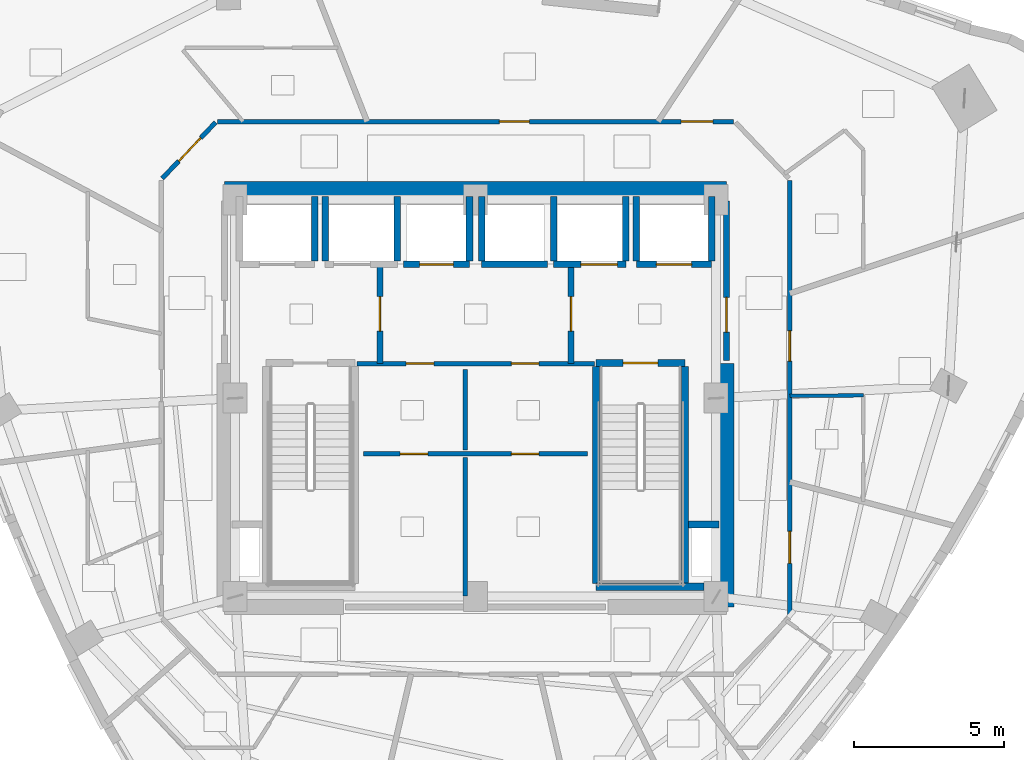
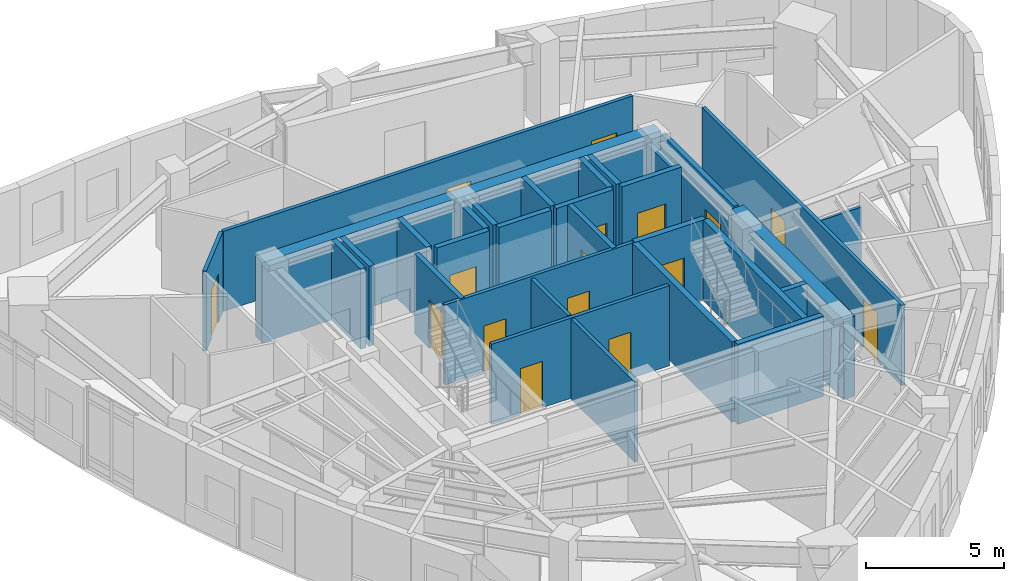
# One storey, part 11 of 16: 31 walls, 16 doors, 16 openings.
"""IFC4 building model written with IfcOpenShell, lengths in metres."""

from ifc_helpers import new_model, si_unit, direction, frame, frame_2d, origin, place, context, subcontext, project, spatial, rectangle, extrude, material, layer, layer_set, type_object, element, fill, save


model = new_model("IFC4")

# Units and contexts
model_context = context("Model", 3, precision=1e-05, world=origin(), true_north=direction((0.0, 1.0)))
body_context = subcontext(model_context, "Body", "Model", "MODEL_VIEW")
ifc_project = project(units=[si_unit("LENGTHUNIT", "METRE"), si_unit("AREAUNIT", "SQUARE_METRE"), si_unit("VOLUMEUNIT", "CUBIC_METRE"), si_unit("PLANEANGLEUNIT", "RADIAN"), si_unit("MASSUNIT", "GRAM", prefix="KILO")], contexts=[model_context])

# Site, building, storey
site_placement = place(None, origin())
site = spatial("IfcSite", under=ifc_project, at=site_placement, CompositionType="ELEMENT")
building_placement = place(site_placement, origin())
building = spatial("IfcBuilding", under=site, at=building_placement, Name="Ndelora Gate Hotel", CompositionType="ELEMENT")
storey_placement = place(building_placement, frame((0.0, 0.0, 182.75)))
storey = spatial("IfcBuildingStorey", under=building, at=storey_placement, Name="L45", CompositionType="ELEMENT", Elevation=182.75)

# Walls
ifc_material_1 = material(Name="Concrete C50/60", Category="concrete")
ifc_layer_1 = layer(ifc_material_1, 0.5)
ifc_layer_set_1 = layer_set([ifc_layer_1], Name="Concrete C50/60")
wall_type_1 = type_object("IfcWallType", Name="WL-CORE-500", PredefinedType="SHEAR", material=ifc_layer_set_1)
wall_1_placement = place(storey_placement, frame((-8.35009765625, 6.949951171875, 0.0), z_axis=(0.0, 0.0, 1.0), x_axis=(1.0, 0.0, 0.0)))
element("IfcWall", 1, at=wall_1_placement, inside=storey, type_object=wall_type_1, Name="L45 Core Shear Wall N", PredefinedType="SHEAR", context=body_context, shape_type="SweptSolid", body=[
    extrude(rectangle(XDim=16.7001953125, YDim=0.5, at=frame_2d((8.35009765625, 0.0))), origin(), (0.0, 0.0, 1.0), 3.550048828125),
])
wall_2_placement = place(storey_placement, frame((8.35009765625, -6.949951171875, 0.0), z_axis=(0.0, 0.0, 1.0), x_axis=(0.0, 1.0, 0.0)))
element("IfcWall", 2, at=wall_2_placement, inside=storey, type_object=wall_type_1, Name="L45 Core Shear Wall E", PredefinedType="SHEAR", context=body_context, shape_type="SweptSolid", body=[
    extrude(rectangle(XDim=8.099853515625, YDim=0.5, at=frame_2d((4.0498046875, 0.0))), origin(), (0.0, 0.0, 1.0), 3.550048828125),
])

# Wall, opening, door
ifc_material_2 = material(Name="Concrete C40/50", Category="concrete")
ifc_layer_2 = layer(ifc_material_2, 0.199951171875)
ifc_layer_set_2 = layer_set([ifc_layer_2], Name="Concrete C40/50")
wall_type_2 = type_object("IfcWallType", Name="WL-FIRE-200", PredefinedType="PARTITIONING", material=ifc_layer_set_2)
wall_3_placement = place(storey_placement, frame((-3.179931640625, 1.14990234375, 0.0), z_axis=(0.0, 0.0, 1.0), x_axis=(0.0, 1.0, 0.0)))
wall_3 = element("IfcWall", 3, at=wall_3_placement, inside=storey, type_object=wall_type_2, Name="L45 Interior Wall IW-2", PredefinedType="PARTITIONING", context=body_context, shape_type="SweptSolid", body=[
    extrude(rectangle(XDim=3.300048828125, YDim=0.199951171875, at=frame_2d((1.64990234375, 0.0))), origin(), (0.0, 0.0, 1.0), 3.550048828125),
])
opening_1_placement = place(wall_3_placement, frame((1.080078125, 0.0, 0.0)))
opening_1 = element("IfcOpeningElement", 4, at=opening_1_placement, cuts=wall_3, Name="Opening FD1", PredefinedType="OPENING", context=body_context, shape_type="SweptSolid", body=[
    extrude(rectangle(XDim=1.14990234375, YDim=2.14990234375, at=frame_2d((0.574951171875, 1.074951171875))), frame((0.0, 0.10986328125, 0.0), z_axis=(0.0, -1.0, 0.0), x_axis=(1.0, 0.0, 0.0)), (0.0, 0.0, 1.0), 0.219970703125),
])
ifc_material_3 = material(Name="Fire-Rated Timber-Veneer Steel Core", Category="steel")
door_type_1 = type_object("IfcDoorType", Name="DR-FD60", OperationType="SINGLE_SWING_LEFT", PredefinedType="DOOR", material=ifc_material_3)
door_1_placement = place(opening_1_placement, origin())
door_1 = element("IfcDoor", 5, at=door_1_placement, inside=storey, type_object=door_type_1, Name="L45 Firefighting Lobby West Door", OperationType="SINGLE_SWING_RIGHT", OverallHeight=2.14990234375, OverallWidth=1.14990234375, PredefinedType="DOOR", context=body_context, shape_type="SweptSolid", body=[
    extrude(rectangle(XDim=1.14990234375, YDim=2.14990234375, at=frame_2d((0.574951171875, 1.074951171875))), frame((0.0, 0.02490234375, 0.0), z_axis=(0.0, -1.0, 0.0), x_axis=(1.0, 0.0, 0.0)), (0.0, 0.0, 1.0), 0.050048828125),
])
fill(opening_1, door_1)

wall_4_placement = place(storey_placement, frame((3.179931640625, 1.14990234375, 0.0), z_axis=(0.0, 0.0, 1.0), x_axis=(0.0, 1.0, 0.0)))
wall_4 = element("IfcWall", 6, at=wall_4_placement, inside=storey, type_object=wall_type_2, Name="L45 Interior Wall IW-2", PredefinedType="PARTITIONING", context=body_context, shape_type="SweptSolid", body=[
    extrude(rectangle(XDim=3.300048828125, YDim=0.199951171875, at=frame_2d((1.64990234375, 0.0))), origin(), (0.0, 0.0, 1.0), 3.550048828125),
])
opening_2_placement = place(wall_4_placement, frame((1.080078125, 0.0, 0.0)))
opening_2 = element("IfcOpeningElement", 7, at=opening_2_placement, cuts=wall_4, Name="Opening FD1", PredefinedType="OPENING", context=body_context, shape_type="SweptSolid", body=[
    extrude(rectangle(XDim=1.14990234375, YDim=2.14990234375, at=frame_2d((0.574951171875, 1.074951171875))), frame((0.0, 0.10986328125, 0.0), z_axis=(0.0, -1.0, 0.0), x_axis=(1.0, 0.0, 0.0)), (0.0, 0.0, 1.0), 0.219970703125),
])
door_2_placement = place(opening_2_placement, origin())
door_2 = element("IfcDoor", 8, at=door_2_placement, inside=storey, type_object=door_type_1, Name="L45 Firefighting Lobby East Door", OperationType="SINGLE_SWING_LEFT", OverallHeight=2.14990234375, OverallWidth=1.14990234375, PredefinedType="DOOR", context=body_context, shape_type="SweptSolid", body=[
    extrude(rectangle(XDim=1.14990234375, YDim=2.14990234375, at=frame_2d((0.574951171875, 1.074951171875))), frame((0.0, 0.02490234375, 0.0), z_axis=(0.0, -1.0, 0.0), x_axis=(1.0, 0.0, 0.0)), (0.0, 0.0, 1.0), 0.050048828125),
])
fill(opening_2, door_2)

wall_5_placement = place(storey_placement, frame((8.35009765625, 1.25, 0.0), z_axis=(0.0, 0.0, 1.0), x_axis=(0.0, 1.0, 0.0)))
wall_5 = element("IfcWall", 9, at=wall_5_placement, inside=storey, type_object=wall_type_2, Name="L45 Interior Wall IW-2", PredefinedType="PARTITIONING", context=body_context, shape_type="SweptSolid", body=[
    extrude(rectangle(XDim=5.300048828125, YDim=0.199951171875, at=frame_2d((2.64990234375, 0.0))), origin(), (0.0, 0.0, 1.0), 3.550048828125),
])
opening_3_placement = place(wall_5_placement, frame((0.949951171875, 0.0, 0.0)))
opening_3 = element("IfcOpeningElement", 10, at=opening_3_placement, cuts=wall_5, Name="Opening FD1", PredefinedType="OPENING", context=body_context, shape_type="SweptSolid", body=[
    extrude(rectangle(XDim=1.14990234375, YDim=2.14990234375, at=frame_2d((0.574951171875, 1.074951171875))), frame((0.0, 0.10986328125, 0.0), z_axis=(0.0, -1.0, 0.0), x_axis=(1.0, 0.0, 0.0)), (0.0, 0.0, 1.0), 0.219970703125),
])
door_3_placement = place(opening_3_placement, origin())
door_3 = element("IfcDoor", 11, at=door_3_placement, inside=storey, type_object=door_type_1, Name="L45 Firefighting Lobby East Corridor Door", OperationType="SINGLE_SWING_RIGHT", OverallHeight=2.14990234375, OverallWidth=1.14990234375, PredefinedType="DOOR", context=body_context, shape_type="SweptSolid", body=[
    extrude(rectangle(XDim=1.14990234375, YDim=2.14990234375, at=frame_2d((0.574951171875, 1.074951171875))), frame((0.0, 0.02490234375, 0.0), z_axis=(0.0, -1.0, 0.0), x_axis=(1.0, 0.0, 0.0)), (0.0, 0.0, 1.0), 0.050048828125),
])
fill(opening_3, door_3)

# Wall, openings, doors
ifc_material_4 = material(Name="Fire-Rated Gypsum Stud Partition", Category="gypsum")
ifc_layer_3 = layer(ifc_material_4, 0.14990234375)
ifc_layer_set_3 = layer_set([ifc_layer_3], Name="Fire-Rated Gypsum Stud Partition")
wall_type_3 = type_object("IfcWallType", Name="WL-PART-150", PredefinedType="PARTITIONING", material=ifc_layer_set_3)
wall_6_placement = place(storey_placement, frame((3.949951171875, 1.14990234375, 0.0), z_axis=(0.0, 0.0, 1.0), x_axis=(-1.0, 0.0, 0.0)))
wall_6 = element("IfcWall", 12, at=wall_6_placement, inside=storey, type_object=wall_type_3, Name="L45 Interior Wall IW-5", PredefinedType="PARTITIONING", context=body_context, shape_type="SweptSolid", body=[
    extrude(rectangle(XDim=7.89990234375, YDim=0.14990234375, at=frame_2d((3.949951171875, 0.0))), origin(), (0.0, 0.0, 1.0), 3.550048828125),
])
opening_4_placement = place(wall_6_placement, frame((5.340087890625, 0.0, 0.0)))
opening_4 = element("IfcOpeningElement", 13, at=opening_4_placement, cuts=wall_6, Name="Opening D04", PredefinedType="OPENING", context=body_context, shape_type="SweptSolid", body=[
    extrude(rectangle(XDim=0.919921875, YDim=2.050048828125, at=frame_2d((0.4599609375, 1.02490234375))), frame((0.0, 0.0849609375, 0.0), z_axis=(0.0, -1.0, 0.0), x_axis=(1.0, 0.0, 0.0)), (0.0, 0.0, 1.0), 0.169921875),
])
opening_5_placement = place(wall_6_placement, frame((1.840087890625, 0.0, 0.0)))
opening_5 = element("IfcOpeningElement", 14, at=opening_5_placement, cuts=wall_6, Name="Opening D04", PredefinedType="OPENING", context=body_context, shape_type="SweptSolid", body=[
    extrude(rectangle(XDim=0.919921875, YDim=2.050048828125, at=frame_2d((0.4599609375, 1.02490234375))), frame((0.0, 0.0849609375, 0.0), z_axis=(0.0, -1.0, 0.0), x_axis=(1.0, 0.0, 0.0)), (0.0, 0.0, 1.0), 0.169921875),
])
ifc_material_5 = material(Name="Painted Steel Core Service Door", Category="steel")
door_type_2 = type_object("IfcDoorType", Name="DR-SER-920", OperationType="SINGLE_SWING_LEFT", PredefinedType="DOOR", material=ifc_material_5)
door_4_placement = place(opening_4_placement, origin())
door_4 = element("IfcDoor", 15, at=door_4_placement, inside=storey, type_object=door_type_2, Name="L45 Core Electrical Closet Door", OperationType="SINGLE_SWING_LEFT", OverallHeight=2.050048828125, OverallWidth=0.919921875, PredefinedType="DOOR", context=body_context, shape_type="SweptSolid", body=[
    extrude(rectangle(XDim=0.919921875, YDim=2.050048828125, at=frame_2d((0.4599609375, 1.02490234375))), frame((0.0, 0.02490234375, 0.0), z_axis=(0.0, -1.0, 0.0), x_axis=(1.0, 0.0, 0.0)), (0.0, 0.0, 1.0), 0.050048828125),
])
fill(opening_4, door_4)
door_5_placement = place(opening_5_placement, origin())
door_5 = element("IfcDoor", 16, at=door_5_placement, inside=storey, type_object=door_type_2, Name="L45 Comms Patching Store Door", OperationType="SINGLE_SWING_RIGHT", OverallHeight=2.050048828125, OverallWidth=0.919921875, PredefinedType="DOOR", context=body_context, shape_type="SweptSolid", body=[
    extrude(rectangle(XDim=0.919921875, YDim=2.050048828125, at=frame_2d((0.4599609375, 1.02490234375))), frame((0.0, 0.02490234375, 0.0), z_axis=(0.0, -1.0, 0.0), x_axis=(1.0, 0.0, 0.0)), (0.0, 0.0, 1.0), 0.050048828125),
])
fill(opening_5, door_5)

wall_7_placement = place(storey_placement, frame((-3.719970703125, -1.85009765625, 0.0), z_axis=(0.0, 0.0, 1.0), x_axis=(1.0, 0.0, 0.0)))
wall_7 = element("IfcWall", 17, at=wall_7_placement, inside=storey, type_object=wall_type_3, Name="L45 Interior Wall IW-5", PredefinedType="PARTITIONING", context=body_context, shape_type="SweptSolid", body=[
    extrude(rectangle(XDim=7.43994140625, YDim=0.14990234375, at=frame_2d((3.719970703125, 0.0))), origin(), (0.0, 0.0, 1.0), 3.550048828125),
])
opening_6_placement = place(wall_7_placement, frame((1.2099609375, 0.0, 0.0)))
opening_6 = element("IfcOpeningElement", 18, at=opening_6_placement, cuts=wall_7, Name="Opening D04", PredefinedType="OPENING", context=body_context, shape_type="SweptSolid", body=[
    extrude(rectangle(XDim=0.919921875, YDim=2.050048828125, at=frame_2d((0.4599609375, 1.02490234375))), frame((0.0, 0.0849609375, 0.0), z_axis=(0.0, -1.0, 0.0), x_axis=(1.0, 0.0, 0.0)), (0.0, 0.0, 1.0), 0.169921875),
])
opening_7_placement = place(wall_7_placement, frame((4.909912109375, 0.0, 0.0)))
opening_7 = element("IfcOpeningElement", 19, at=opening_7_placement, cuts=wall_7, Name="Opening D04", PredefinedType="OPENING", context=body_context, shape_type="SweptSolid", body=[
    extrude(rectangle(XDim=0.919921875, YDim=2.050048828125, at=frame_2d((0.4599609375, 1.02490234375))), frame((0.0, 0.0849609375, 0.0), z_axis=(0.0, -1.0, 0.0), x_axis=(1.0, 0.0, 0.0)), (0.0, 0.0, 1.0), 0.169921875),
])
door_6_placement = place(opening_6_placement, origin())
door_6 = element("IfcDoor", 20, at=door_6_placement, inside=storey, type_object=door_type_2, Name="L45 Core Service Internal Door", OperationType="SINGLE_SWING_LEFT", OverallHeight=2.050048828125, OverallWidth=0.919921875, PredefinedType="DOOR", context=body_context, shape_type="SweptSolid", body=[
    extrude(rectangle(XDim=0.919921875, YDim=2.050048828125, at=frame_2d((0.4599609375, 1.02490234375))), frame((0.0, 0.02490234375, 0.0), z_axis=(0.0, -1.0, 0.0), x_axis=(1.0, 0.0, 0.0)), (0.0, 0.0, 1.0), 0.050048828125),
])
fill(opening_6, door_6)
door_7_placement = place(opening_7_placement, origin())
door_7 = element("IfcDoor", 21, at=door_7_placement, inside=storey, type_object=door_type_2, Name="L45 Core Service Internal Door", OperationType="SINGLE_SWING_LEFT", OverallHeight=2.050048828125, OverallWidth=0.919921875, PredefinedType="DOOR", context=body_context, shape_type="SweptSolid", body=[
    extrude(rectangle(XDim=0.919921875, YDim=2.050048828125, at=frame_2d((0.4599609375, 1.02490234375))), frame((0.0, 0.02490234375, 0.0), z_axis=(0.0, -1.0, 0.0), x_axis=(1.0, 0.0, 0.0)), (0.0, 0.0, 1.0), 0.050048828125),
])
fill(opening_7, door_7)

# Walls
wall_8_placement = place(storey_placement, frame((-0.35009765625, -6.580078125, 0.0), z_axis=(0.0, 0.0, 1.0), x_axis=(0.0, 1.0, 0.0)))
element("IfcWall", 22, at=wall_8_placement, inside=storey, type_object=wall_type_3, Name="L45 Interior Wall IW-5", PredefinedType="PARTITIONING", context=body_context, shape_type="SweptSolid", body=[
    extrude(rectangle(XDim=4.610107421875, YDim=0.14990234375, at=frame_2d((2.30517578125, 0.0))), origin(), (0.0, 0.0, 1.0), 3.550048828125),
])
wall_9_placement = place(storey_placement, frame((-0.35009765625, -1.72998046875, 0.0), z_axis=(0.0, 0.0, 1.0), x_axis=(0.0, 1.0, 0.0)))
element("IfcWall", 23, at=wall_9_placement, inside=storey, type_object=wall_type_3, Name="L45 Interior Wall IW-5", PredefinedType="PARTITIONING", context=body_context, shape_type="SweptSolid", body=[
    extrude(rectangle(XDim=2.679931640625, YDim=0.14990234375, at=frame_2d((1.33984375, 0.0))), origin(), (0.0, 0.0, 1.0), 3.550048828125),
])

# Wall, openings, doors
wall_10_placement = place(storey_placement, frame((10.449951171875, 7.239990234375, 0.0), z_axis=(0.0, 0.0, 1.0), x_axis=(0.0, -1.0, 0.0)))
wall_10 = element("IfcWall", 24, at=wall_10_placement, inside=storey, type_object=wall_type_3, Name="L45 Interior Wall IW-5", PredefinedType="PARTITIONING", context=body_context, shape_type="SweptSolid", body=[
    extrude(rectangle(XDim=14.47998046875, YDim=0.14990234375, at=frame_2d((7.239990234375, 0.0))), origin(), (0.0, 0.0, 1.0), 3.550048828125),
])
opening_8_placement = place(wall_10_placement, frame((11.67431640625, 0.0, 0.0)))
opening_8 = element("IfcOpeningElement", 25, at=opening_8_placement, cuts=wall_10, Name="Opening D07", PredefinedType="OPENING", context=body_context, shape_type="SweptSolid", body=[
    extrude(rectangle(XDim=1.06005859375, YDim=2.14990234375, at=frame_2d((0.530029296875, 1.074951171875))), frame((0.0, 0.0849609375, 0.0), z_axis=(0.0, -1.0, 0.0), x_axis=(1.0, 0.0, 0.0)), (0.0, 0.0, 1.0), 0.169921875),
])
opening_9_placement = place(wall_10_placement, frame((5.005615234375, 0.0, 0.0)))
opening_9 = element("IfcOpeningElement", 26, at=opening_9_placement, cuts=wall_10, Name="Opening D01", PredefinedType="OPENING", context=body_context, shape_type="SweptSolid", body=[
    extrude(rectangle(XDim=1.0, YDim=2.14990234375, at=frame_2d((0.5, 1.074951171875))), frame((0.0, 0.0849609375, 0.0), z_axis=(0.0, -1.0, 0.0), x_axis=(1.0, 0.0, 0.0)), (0.0, 0.0, 1.0), 0.169921875),
])
ifc_material_6 = material(Name="Acoustic Hardwood Guest Entrance Door", Category="wood")
door_type_3 = type_object("IfcDoorType", Name="DR-COR-1000", OperationType="SINGLE_SWING_LEFT", PredefinedType="DOOR", material=ifc_material_6)
door_8_placement = place(opening_9_placement, origin())
door_8 = element("IfcDoor", 27, at=door_8_placement, inside=storey, type_object=door_type_3, Name="L45 Altitude King Guest Room 4802 Entrance Door", OperationType="SINGLE_SWING_LEFT", OverallHeight=2.14990234375, OverallWidth=1.0, PredefinedType="DOOR", context=body_context, shape_type="SweptSolid", body=[
    extrude(rectangle(XDim=1.0, YDim=2.14990234375, at=frame_2d((0.5, 1.074951171875))), frame((0.0, 0.02490234375, 0.0), z_axis=(0.0, -1.0, 0.0), x_axis=(1.0, 0.0, 0.0)), (0.0, 0.0, 1.0), 0.050048828125),
])
fill(opening_9, door_8)
ifc_material_7 = material(Name="Diplomatic Suite Acoustic Entrance Door", Category="wood")
door_type_4 = type_object("IfcDoorType", Name="DR-SUITE-1060", OperationType="SINGLE_SWING_LEFT", PredefinedType="DOOR", material=ifc_material_7)
door_9_placement = place(opening_8_placement, origin())
door_9 = element("IfcDoor", 28, at=door_9_placement, inside=storey, type_object=door_type_4, Name="L45 Panoramic Horizon Suite 4801 Entrance Door", OperationType="SINGLE_SWING_LEFT", OverallHeight=2.14990234375, OverallWidth=1.06005859375, PredefinedType="DOOR", context=body_context, shape_type="SweptSolid", body=[
    extrude(rectangle(XDim=1.06005859375, YDim=2.14990234375, at=frame_2d((0.530029296875, 1.074951171875))), frame((0.0, 0.02490234375, 0.0), z_axis=(0.0, -1.0, 0.0), x_axis=(1.0, 0.0, 0.0)), (0.0, 0.0, 1.0), 0.050048828125),
])
fill(opening_8, door_9)

wall_11_placement = place(storey_placement, frame((-8.580078125, 9.199951171875, 0.0), z_axis=(0.0, 0.0, 1.0), x_axis=(1.0, 0.0, 0.0)))
wall_11 = element("IfcWall", 29, at=wall_11_placement, inside=storey, type_object=wall_type_3, Name="L45 Interior Wall IW-5", PredefinedType="PARTITIONING", context=body_context, shape_type="SweptSolid", body=[
    extrude(rectangle(XDim=17.16015625, YDim=0.14990234375, at=frame_2d((8.580078125, 0.0))), origin(), (0.0, 0.0, 1.0), 3.550048828125),
])
opening_10_placement = place(wall_11_placement, frame((9.37060546875, 0.0, 0.0)))
opening_10 = element("IfcOpeningElement", 30, at=opening_10_placement, cuts=wall_11, Name="Opening D01", PredefinedType="OPENING", context=body_context, shape_type="SweptSolid", body=[
    extrude(rectangle(XDim=1.0, YDim=2.14990234375, at=frame_2d((0.5, 1.074951171875))), frame((0.0, 0.0849609375, 0.0), z_axis=(0.0, -1.0, 0.0), x_axis=(1.0, 0.0, 0.0)), (0.0, 0.0, 1.0), 0.169921875),
])
opening_11_placement = place(wall_11_placement, frame((15.41455078125, 0.0, 0.0)))
opening_11 = element("IfcOpeningElement", 31, at=opening_11_placement, cuts=wall_11, Name="Opening D07", PredefinedType="OPENING", context=body_context, shape_type="SweptSolid", body=[
    extrude(rectangle(XDim=1.06005859375, YDim=2.14990234375, at=frame_2d((0.530029296875, 1.074951171875))), frame((0.0, 0.0849609375, 0.0), z_axis=(0.0, -1.0, 0.0), x_axis=(1.0, 0.0, 0.0)), (0.0, 0.0, 1.0), 0.169921875),
])
door_10_placement = place(opening_10_placement, origin())
door_10 = element("IfcDoor", 32, at=door_10_placement, inside=storey, type_object=door_type_3, Name="L45 Sky Garden Tea Dining Room Entrance Door", OperationType="SINGLE_SWING_RIGHT", OverallHeight=2.14990234375, OverallWidth=1.0, PredefinedType="DOOR", context=body_context, shape_type="SweptSolid", body=[
    extrude(rectangle(XDim=1.0, YDim=2.14990234375, at=frame_2d((0.5, 1.074951171875))), frame((0.0, 0.02490234375, 0.0), z_axis=(0.0, -1.0, 0.0), x_axis=(1.0, 0.0, 0.0)), (0.0, 0.0, 1.0), 0.050048828125),
])
fill(opening_10, door_10)
door_11_placement = place(opening_11_placement, origin())
door_11 = element("IfcDoor", 33, at=door_11_placement, inside=storey, type_object=door_type_4, Name="L45 Corner Sky Suite 4803 Entrance Door", OperationType="SINGLE_SWING_RIGHT", OverallHeight=2.14990234375, OverallWidth=1.06005859375, PredefinedType="DOOR", context=body_context, shape_type="SweptSolid", body=[
    extrude(rectangle(XDim=1.06005859375, YDim=2.14990234375, at=frame_2d((0.530029296875, 1.074951171875))), frame((0.0, 0.02490234375, 0.0), z_axis=(0.0, -1.0, 0.0), x_axis=(1.0, 0.0, 0.0)), (0.0, 0.0, 1.0), 0.050048828125),
])
fill(opening_11, door_11)

# Wall, opening, door
wall_12_placement = place(storey_placement, frame((-10.42236328125, 7.30908203125, 0.0), z_axis=(0.0, 0.0, 1.0), x_axis=(0.689960858356, 0.723846678473, 0.0)))
wall_12 = element("IfcWall", 34, at=wall_12_placement, inside=storey, type_object=wall_type_3, Name="L45 Interior Wall IW-5", PredefinedType="PARTITIONING", context=body_context, shape_type="SweptSolid", body=[
    extrude(rectangle(XDim=2.572021484375, YDim=0.14990234375, at=frame_2d((1.2861328125, 0.0))), origin(), (0.0, 0.0, 1.0), 3.550048828125),
])
opening_12_placement = place(wall_12_placement, frame((0.796142578125, 0.0, 0.0)))
opening_12 = element("IfcOpeningElement", 35, at=opening_12_placement, cuts=wall_12, Name="Opening D07", PredefinedType="OPENING", context=body_context, shape_type="SweptSolid", body=[
    extrude(rectangle(XDim=1.06005859375, YDim=2.14990234375, at=frame_2d((0.530029296875, 1.074951171875))), frame((0.0, 0.0849609375, 0.0), z_axis=(0.0, -1.0, 0.0), x_axis=(1.0, 0.0, 0.0)), (0.0, 0.0, 1.0), 0.169921875),
])
door_12_placement = place(opening_12_placement, origin())
door_12 = element("IfcDoor", 36, at=door_12_placement, inside=storey, type_object=door_type_4, Name="L45 Grand Ambassador Suite 4804 Entrance Door", OperationType="SINGLE_SWING_RIGHT", OverallHeight=2.14990234375, OverallWidth=1.06005859375, PredefinedType="DOOR", context=body_context, shape_type="SweptSolid", body=[
    extrude(rectangle(XDim=1.06005859375, YDim=2.14990234375, at=frame_2d((0.530029296875, 1.074951171875))), frame((0.0, 0.02490234375, 0.0), z_axis=(0.0, -1.0, 0.0), x_axis=(1.0, 0.0, 0.0)), (0.0, 0.0, 1.0), 0.050048828125),
])
fill(opening_12, door_12)

# Walls
ifc_layer_4 = layer(ifc_material_2, 0.219970703125)
ifc_layer_set_4 = layer_set([ifc_layer_4], Name="Concrete C40/50")
wall_type_4 = type_object("IfcWallType", Name="WL-SHAFT-220", PredefinedType="PARTITIONING", material=ifc_layer_set_4)
wall_13_placement = place(storey_placement, frame((7.090087890625, -4.199951171875, 0.0), z_axis=(0.0, 0.0, 1.0), x_axis=(1.0, 0.0, 0.0)))
element("IfcWall", 37, at=wall_13_placement, inside=storey, type_object=wall_type_4, Name="L45 Interior Wall IW-1", PredefinedType="PARTITIONING", context=body_context, shape_type="SweptSolid", body=[
    extrude(rectangle(XDim=1.010009765625, YDim=0.219970703125, at=frame_2d((0.5048828125, 0.0))), origin(), (0.0, 0.0, 1.0), 3.550048828125),
])
wall_14_placement = place(storey_placement, frame((-5.35009765625, 4.570068359375, 0.0), z_axis=(0.0, 0.0, 1.0), x_axis=(0.0, 1.0, 0.0)))
element("IfcWall", 38, at=wall_14_placement, inside=storey, type_object=wall_type_4, Name="L45 Interior Wall IW-1", PredefinedType="PARTITIONING", context=body_context, shape_type="SweptSolid", body=[
    extrude(rectangle(XDim=2.1298828125, YDim=0.219970703125, at=frame_2d((1.06494140625, 0.0))), origin(), (0.0, 0.0, 1.0), 3.550048828125),
])

# Wall, opening, door
wall_15_placement = place(storey_placement, frame((5.35009765625, 4.449951171875, 0.0), z_axis=(0.0, 0.0, 1.0), x_axis=(1.0, 0.0, 0.0)))
wall_15 = element("IfcWall", 39, at=wall_15_placement, inside=storey, type_object=wall_type_4, Name="L45 Interior Wall IW-1", PredefinedType="PARTITIONING", context=body_context, shape_type="SweptSolid", body=[
    extrude(rectangle(XDim=2.5, YDim=0.219970703125, at=frame_2d((1.25, 0.0))), origin(), (0.0, 0.0, 1.0), 3.550048828125),
])
opening_13_placement = place(wall_15_placement, frame((0.659912109375, 0.0, 0.0)))
opening_13 = element("IfcOpeningElement", 40, at=opening_13_placement, cuts=wall_15, Name="Opening LD5", PredefinedType="OPENING", context=body_context, shape_type="SweptSolid", body=[
    extrude(rectangle(XDim=1.179931640625, YDim=2.14990234375, at=frame_2d((0.58984375, 1.074951171875))), frame((0.0, 0.1201171875, 0.0), z_axis=(0.0, -1.0, 0.0), x_axis=(1.0, 0.0, 0.0)), (0.0, 0.0, 1.0), 0.239990234375),
])
ifc_material_8 = material(Name="Firefighting Lift Stainless Sliding Landing Door", Category="metal")
door_type_5 = type_object("IfcDoorType", Name="DR-LD5", OperationType="DOUBLE_DOOR_SLIDING", PredefinedType="DOOR", material=ifc_material_8)
door_13_placement = place(opening_13_placement, origin())
door_13 = element("IfcDoor", 41, at=door_13_placement, inside=storey, type_object=door_type_5, Name="L45 Lift Landing Sliding Door FFL2", OperationType="DOUBLE_DOOR_SLIDING", OverallHeight=2.14990234375, OverallWidth=1.179931640625, PredefinedType="DOOR", context=body_context, shape_type="SweptSolid", body=[
    extrude(rectangle(XDim=1.179931640625, YDim=2.14990234375, at=frame_2d((0.58984375, 1.074951171875))), frame((0.0, 0.02490234375, 0.0), z_axis=(0.0, -1.0, 0.0), x_axis=(1.0, 0.0, 0.0)), (0.0, 0.0, 1.0), 0.050048828125),
])
fill(opening_13, door_13)

# Walls
wall_16_placement = place(storey_placement, frame((5.35009765625, 4.570068359375, 0.0), z_axis=(0.0, 0.0, 1.0), x_axis=(0.0, 1.0, 0.0)))
element("IfcWall", 42, at=wall_16_placement, inside=storey, type_object=wall_type_4, Name="L45 Interior Wall IW-1", PredefinedType="PARTITIONING", context=body_context, shape_type="SweptSolid", body=[
    extrude(rectangle(XDim=2.1298828125, YDim=0.219970703125, at=frame_2d((1.06494140625, 0.0))), origin(), (0.0, 0.0, 1.0), 3.550048828125),
])
wall_17_placement = place(storey_placement, frame((7.85009765625, 4.570068359375, 0.0), z_axis=(0.0, 0.0, 1.0), x_axis=(0.0, 1.0, 0.0)))
element("IfcWall", 43, at=wall_17_placement, inside=storey, type_object=wall_type_4, Name="L45 Interior Wall IW-1", PredefinedType="PARTITIONING", context=body_context, shape_type="SweptSolid", body=[
    extrude(rectangle(XDim=2.1298828125, YDim=0.219970703125, at=frame_2d((1.06494140625, 0.0))), origin(), (0.0, 0.0, 1.0), 3.179931640625),
])
for number, where, z_axis, x_axis, name in (
    (44, (-5.0, 4.570068359375, 0.0), (0.0, 0.0, 1.0), (0.0, 1.0, 0.0), "L45 Interior Wall IW-1"),
    (45, (-2.60009765625, 4.570068359375, 0.0), (0.0, 0.0, 1.0), (0.0, 1.0, 0.0), "L45 Interior Wall IW-1"),
):
    element("IfcWall", number, at=place(storey_placement, frame(where, z_axis=z_axis, x_axis=x_axis)), inside=storey, type_object=wall_type_4, Name=name, PredefinedType="PARTITIONING", context=body_context, shape_type="SweptSolid", body=[
        extrude(rectangle(XDim=2.1298828125, YDim=0.219970703125, at=frame_2d((1.06494140625, 0.0))), origin(), (0.0, 0.0, 1.0), 3.550048828125),
    ])

# Wall, opening, door
wall_18_placement = place(storey_placement, frame((2.60009765625, 4.449951171875, 0.0), z_axis=(0.0, 0.0, 1.0), x_axis=(1.0, 0.0, 0.0)))
wall_18 = element("IfcWall", 46, at=wall_18_placement, inside=storey, type_object=wall_type_4, Name="L45 Interior Wall IW-1", PredefinedType="PARTITIONING", context=body_context, shape_type="SweptSolid", body=[
    extrude(rectangle(XDim=2.39990234375, YDim=0.219970703125, at=frame_2d((1.199951171875, 0.0))), origin(), (0.0, 0.0, 1.0), 3.550048828125),
])
opening_14_placement = place(wall_18_placement, frame((0.89990234375, 0.0, 0.0)))
opening_14 = element("IfcOpeningElement", 47, at=opening_14_placement, cuts=wall_18, Name="Opening LD6", PredefinedType="OPENING", context=body_context, shape_type="SweptSolid", body=[
    extrude(rectangle(XDim=1.219970703125, YDim=2.14990234375, at=frame_2d((0.60986328125, 1.074951171875))), frame((0.0, 0.1201171875, 0.0), z_axis=(0.0, -1.0, 0.0), x_axis=(1.0, 0.0, 0.0)), (0.0, 0.0, 1.0), 0.239990234375),
])
ifc_material_9 = material(Name="Heavy-Duty Service Lift Sliding Landing Door", Category="wood")
door_type_6 = type_object("IfcDoorType", Name="DR-LD6", OperationType="DOUBLE_DOOR_SLIDING", PredefinedType="DOOR", material=ifc_material_9)
door_14_placement = place(opening_14_placement, origin())
door_14 = element("IfcDoor", 48, at=door_14_placement, inside=storey, type_object=door_type_6, Name="L45 Lift Landing Sliding Door SVL2", OperationType="DOUBLE_DOOR_SLIDING", OverallHeight=2.14990234375, OverallWidth=1.219970703125, PredefinedType="DOOR", context=body_context, shape_type="SweptSolid", body=[
    extrude(rectangle(XDim=1.219970703125, YDim=2.14990234375, at=frame_2d((0.60986328125, 1.074951171875))), frame((0.0, 0.02490234375, 0.0), z_axis=(0.0, -1.0, 0.0), x_axis=(1.0, 0.0, 0.0)), (0.0, 0.0, 1.0), 0.050048828125),
])
fill(opening_14, door_14)

# Walls
for number, where, z_axis, x_axis, name in (
    (49, (2.60009765625, 4.570068359375, 0.0), (0.0, 0.0, 1.0), (0.0, 1.0, 0.0), "L45 Interior Wall IW-1"),
    (50, (5.0, 4.570068359375, 0.0), (0.0, 0.0, 1.0), (0.0, 1.0, 0.0), "L45 Interior Wall IW-1"),
):
    element("IfcWall", number, at=place(storey_placement, frame(where, z_axis=z_axis, x_axis=x_axis)), inside=storey, type_object=wall_type_4, Name=name, PredefinedType="PARTITIONING", context=body_context, shape_type="SweptSolid", body=[
        extrude(rectangle(XDim=2.1298828125, YDim=0.219970703125, at=frame_2d((1.06494140625, 0.0))), origin(), (0.0, 0.0, 1.0), 3.550048828125),
    ])

# Wall, opening, door
wall_19_placement = place(storey_placement, frame((-2.39990234375, 4.449951171875, 0.0), z_axis=(0.0, 0.0, 1.0), x_axis=(1.0, 0.0, 0.0)))
wall_19 = element("IfcWall", 51, at=wall_19_placement, inside=storey, type_object=wall_type_4, Name="L45 Interior Wall IW-1", PredefinedType="PARTITIONING", context=body_context, shape_type="SweptSolid", body=[
    extrude(rectangle(XDim=2.199951171875, YDim=0.219970703125, at=frame_2d((1.10009765625, 0.0))), origin(), (0.0, 0.0, 1.0), 3.550048828125),
])
opening_15_placement = place(wall_19_placement, frame((0.5400390625, 0.0, 0.0)))
opening_15 = element("IfcOpeningElement", 52, at=opening_15_placement, cuts=wall_19, Name="Opening LD3", PredefinedType="OPENING", context=body_context, shape_type="SweptSolid", body=[
    extrude(rectangle(XDim=1.1201171875, YDim=2.14990234375, at=frame_2d((0.56005859375, 1.074951171875))), frame((0.0, 0.1201171875, 0.0), z_axis=(0.0, -1.0, 0.0), x_axis=(1.0, 0.0, 0.0)), (0.0, 0.0, 1.0), 0.239990234375),
])
ifc_material_10 = material(Name="Brushed Bronze Stainless Lift Landing Door", Category="metal")
door_type_7 = type_object("IfcDoorType", Name="DR-LD3", OperationType="DOUBLE_DOOR_SLIDING", PredefinedType="DOOR", material=ifc_material_10)
door_15_placement = place(opening_15_placement, origin())
door_15 = element("IfcDoor", 53, at=door_15_placement, inside=storey, type_object=door_type_7, Name="L45 Lift Landing Sliding Door P3A", OperationType="DOUBLE_DOOR_SLIDING", OverallHeight=2.14990234375, OverallWidth=1.1201171875, PredefinedType="DOOR", context=body_context, shape_type="SweptSolid", body=[
    extrude(rectangle(XDim=1.1201171875, YDim=2.14990234375, at=frame_2d((0.56005859375, 1.074951171875))), frame((0.0, 0.02490234375, 0.0), z_axis=(0.0, -1.0, 0.0), x_axis=(1.0, 0.0, 0.0)), (0.0, 0.0, 1.0), 0.050048828125),
])
fill(opening_15, door_15)

# Walls
wall_20_placement = place(storey_placement, frame((-0.199951171875, 4.570068359375, 0.0), z_axis=(0.0, 0.0, 1.0), x_axis=(0.0, 1.0, 0.0)))
element("IfcWall", 54, at=wall_20_placement, inside=storey, type_object=wall_type_4, Name="L45 Interior Wall IW-1", PredefinedType="PARTITIONING", context=body_context, shape_type="SweptSolid", body=[
    extrude(rectangle(XDim=2.1298828125, YDim=0.219970703125, at=frame_2d((1.06494140625, 0.0))), origin(), (0.0, 0.0, 1.0), 3.550048828125),
])
wall_21_placement = place(storey_placement, frame((0.199951171875, 4.449951171875, 0.0), z_axis=(0.0, 0.0, 1.0), x_axis=(1.0, 0.0, 0.0)))
element("IfcWall", 55, at=wall_21_placement, inside=storey, type_object=wall_type_4, Name="L45 Interior Wall IW-1", PredefinedType="PARTITIONING", context=body_context, shape_type="SweptSolid", body=[
    extrude(rectangle(XDim=2.199951171875, YDim=0.219970703125, at=frame_2d((1.10009765625, 0.0))), origin(), (0.0, 0.0, 1.0), 3.550048828125),
])
wall_22_placement = place(storey_placement, frame((0.199951171875, 4.570068359375, 0.0), z_axis=(0.0, 0.0, 1.0), x_axis=(0.0, 1.0, 0.0)))
element("IfcWall", 56, at=wall_22_placement, inside=storey, type_object=wall_type_4, Name="L45 Interior Wall IW-1", PredefinedType="PARTITIONING", context=body_context, shape_type="SweptSolid", body=[
    extrude(rectangle(XDim=2.1298828125, YDim=0.219970703125, at=frame_2d((1.06494140625, 0.0))), origin(), (0.0, 0.0, 1.0), 3.550048828125),
])
ifc_layer_5 = layer(ifc_material_1, 0.239990234375)
ifc_layer_set_5 = layer_set([ifc_layer_5], Name="Concrete C50/60")
wall_type_5 = type_object("IfcWallType", Name="WL-STAIR-240", PredefinedType="SHEAR", material=ifc_layer_set_5)
for number, where, z_axis, x_axis, name in (
    (57, (4.010009765625, -6.159912109375, 0.0), (0.0, 0.0, 1.0), (0.0, 1.0, 0.0), "L45 Stair Core Shear Wall SW-ST"),
    (58, (6.969970703125, -6.159912109375, 0.0), (0.0, 0.0, 1.0), (0.0, 1.0, 0.0), "L45 Stair Core Shear Wall SW-ST"),
):
    element("IfcWall", number, at=place(storey_placement, frame(where, z_axis=z_axis, x_axis=x_axis)), inside=storey, type_object=wall_type_5, Name=name, PredefinedType="SHEAR", context=body_context, shape_type="SweptSolid", body=[
        extrude(rectangle(XDim=7.219970703125, YDim=0.239990234375, at=frame_2d((3.60986328125, 0.0))), origin(), (0.0, 0.0, 1.0), 3.550048828125),
    ])
wall_23_placement = place(storey_placement, frame((4.010009765625, -6.27001953125, 0.0), z_axis=(0.0, 0.0, 1.0), x_axis=(1.0, 0.0, 0.0)))
element("IfcWall", 59, at=wall_23_placement, inside=storey, type_object=wall_type_5, Name="L45 Stair Core Shear Wall SW-ST", PredefinedType="SHEAR", context=body_context, shape_type="SweptSolid", body=[
    extrude(rectangle(XDim=3.590087890625, YDim=0.239990234375, at=frame_2d((1.794921875, 0.0))), origin(), (0.0, 0.0, 1.0), 3.550048828125),
])

# Wall, opening, door
wall_24_placement = place(storey_placement, frame((4.010009765625, 1.169921875, 0.0), z_axis=(0.0, 0.0, 1.0), x_axis=(1.0, 0.0, 0.0)))
wall_24 = element("IfcWall", 60, at=wall_24_placement, inside=storey, type_object=wall_type_5, Name="L45 Stair Core Shear Wall SW-ST", PredefinedType="SHEAR", context=body_context, shape_type="SweptSolid", body=[
    extrude(rectangle(XDim=2.9599609375, YDim=0.239990234375, at=frame_2d((1.47998046875, 0.0))), origin(), (0.0, 0.0, 1.0), 3.550048828125),
])
opening_16_placement = place(wall_24_placement, frame((0.89990234375, 0.0, 0.0)))
opening_16 = element("IfcOpeningElement", 61, at=opening_16_placement, cuts=wall_24, Name="Opening FD1", PredefinedType="OPENING", context=body_context, shape_type="SweptSolid", body=[
    extrude(rectangle(XDim=1.14990234375, YDim=2.14990234375, at=frame_2d((0.574951171875, 1.074951171875))), frame((0.0, 0.1298828125, 0.0), z_axis=(0.0, -1.0, 0.0), x_axis=(1.0, 0.0, 0.0)), (0.0, 0.0, 1.0), 0.260009765625),
])
door_16_placement = place(opening_16_placement, origin())
door_16 = element("IfcDoor", 62, at=door_16_placement, inside=storey, type_object=door_type_1, Name="L45 Exit Stair ST5 Door", OperationType="SINGLE_SWING_RIGHT", OverallHeight=2.14990234375, OverallWidth=1.14990234375, PredefinedType="DOOR", context=body_context, shape_type="SweptSolid", body=[
    extrude(rectangle(XDim=1.14990234375, YDim=2.14990234375, at=frame_2d((0.574951171875, 1.074951171875))), frame((0.0, 0.02490234375, 0.0), z_axis=(0.0, -1.0, 0.0), x_axis=(1.0, 0.0, 0.0)), (0.0, 0.0, 1.0), 0.050048828125),
])
fill(opening_16, door_16)

# Wall
ifc_material_11 = material(Name="Moisture-Resistant Bathroom Tile Partition", Category="gypsum")
ifc_layer_6 = layer(ifc_material_11, 0.1201171875)
ifc_layer_set_6 = layer_set([ifc_layer_6], Name="Moisture-Resistant Bathroom Tile Partition")
wall_type_6 = type_object("IfcWallType", Name="WL-WET-120", PredefinedType="PARTITIONING", material=ifc_layer_set_6)
wall_25_placement = place(storey_placement, frame((10.449951171875, 0.075439453125, 0.0), z_axis=(0.0, 0.0, 1.0), x_axis=(0.999974261486, 0.007174703221, 0.0)))
element("IfcWall", 63, at=wall_25_placement, inside=storey, type_object=wall_type_6, Name="L45 Interior Wall IW-7", PredefinedType="PARTITIONING", context=body_context, shape_type="SweptSolid", body=[
    extrude(rectangle(XDim=2.449951171875, YDim=0.1201171875, at=frame_2d((1.22509765625, 0.0))), origin(), (0.0, 0.0, 1.0), 2.6298828125),
])

save(model, "model.ifc")
